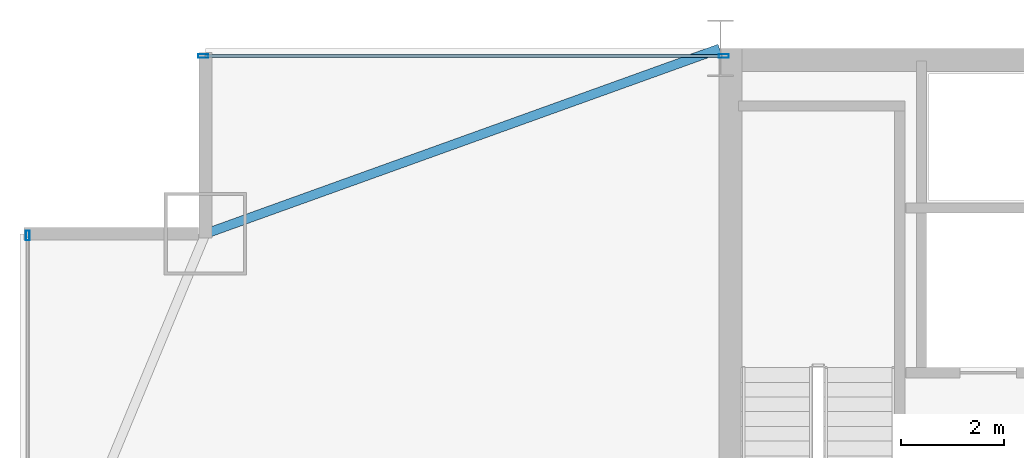
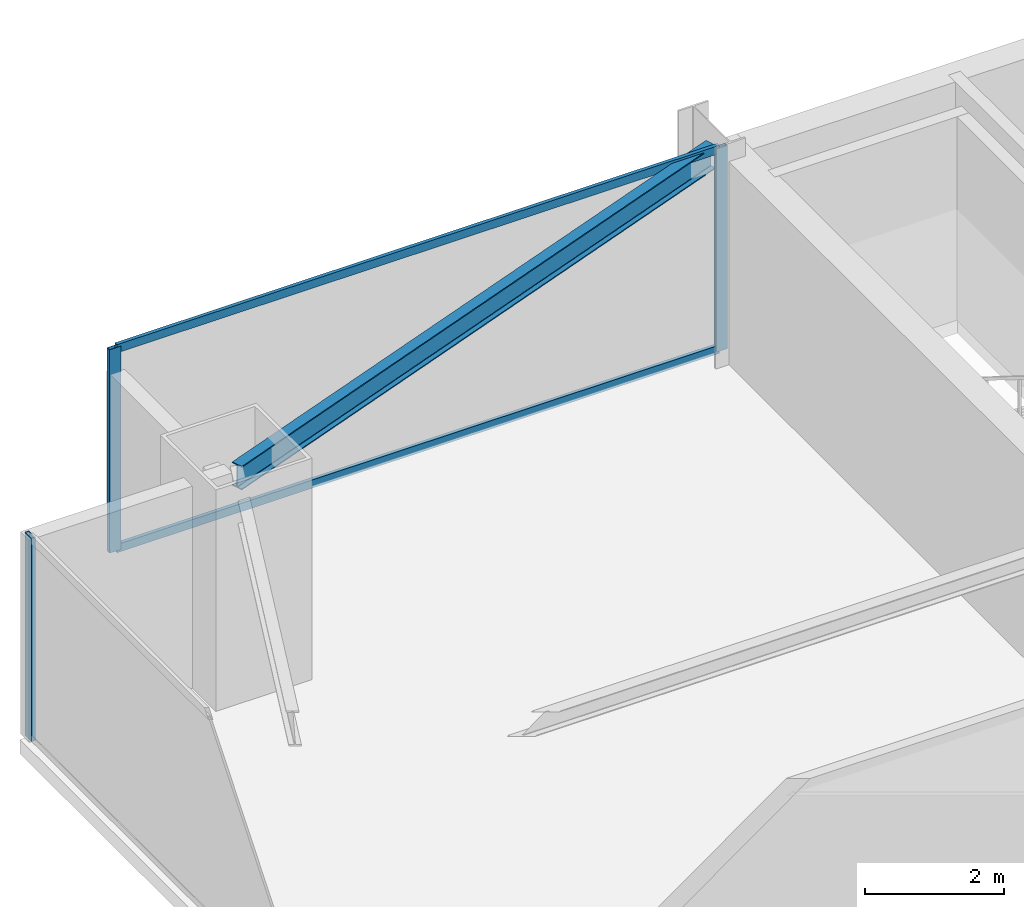
# One storey, part 22 of 32: 5 members, 1 beam, 2 elements without a shape of their own.
"""IFC4 building model written with IfcOpenShell, lengths in metres."""

from ifc_helpers import new_model, si_unit, direction, frame, origin, origin_2d, place, context, subcontext, project, spatial, hollow_rectangle, i_section, extrude, source, transform, mapped, material, layer, layer_set, material_profile, profile_set, type_object, type_shapes, element, aggregate, save


model = new_model("IFC4")

# Units and contexts
model_context = context("Model", 3, precision=1e-05, world=origin(), true_north=direction((0.0, 1.0)))
body_context = subcontext(model_context, "Body", "Model", "MODEL_VIEW")
ifc_project = project(units=[si_unit("LENGTHUNIT", "METRE"), si_unit("AREAUNIT", "SQUARE_METRE"), si_unit("VOLUMEUNIT", "CUBIC_METRE"), si_unit("PLANEANGLEUNIT", "RADIAN"), si_unit("MASSUNIT", "GRAM", prefix="KILO")], contexts=[model_context])

# Site, building, storey
site_placement = place(None, origin())
site = spatial("IfcSite", under=ifc_project, at=site_placement, CompositionType="ELEMENT")
building_placement = place(site_placement, origin())
building = spatial("IfcBuilding", under=site, at=building_placement, Name="Varnel Quay Broadcast Tower", CompositionType="ELEMENT")
storey_placement = place(building_placement, frame((0.0, 0.0, 78.300048828125)))
storey = spatial("IfcBuildingStorey", under=building, at=storey_placement, Name="L18", CompositionType="ELEMENT", Elevation=78.300048828125)

# Beam
ifc_material_1 = material(Name="Structural Steel CSA G40.21 350W", Category="steel")
ifc_material_profile_1 = material_profile(ifc_material_1, i_section(OverallWidth=0.180908203125, OverallDepth=0.4169921875, WebThickness=0.010986328125, FlangeThickness=0.018310546875, FilletRadius=0.011962890625, at=origin_2d()), Name="W410X85")
ifc_profile_set_1 = profile_set([ifc_material_profile_1], Name="Structural Steel CSA G40.21 350W")
beam_type = type_object("IfcBeamType", Name="Beam_W410X85", PredefinedType="SPANDREL", material=ifc_profile_set_1)
shared_shape_1 = source(origin(), body_context, "Body", "SweptSolid", [
    extrude(i_section(OverallWidth=0.180908203125, OverallDepth=0.4169921875, WebThickness=0.010986328125, FlangeThickness=0.018310546875, FilletRadius=0.011962890625, at=origin_2d()), origin(), (0.0, 0.0, 1.0), 10.58837890625),
])
type_shapes(beam_type, [shared_shape_1])
beam_placement = place(storey_placement, frame((5.618896484375, 43.206787109375, 3.371337890625), z_axis=(0.940888587605, 0.338716202321, 0.0), x_axis=(-0.338716202321, 0.940888587605, 0.0)))
element("IfcBeam", 1, at=beam_placement, inside=storey, type_object=beam_type, Name="L18 NW Tie Spandrel", PredefinedType="SPANDREL", context=body_context, shape_type="MappedRepresentation", body=[
    mapped(shared_shape_1, transform((0.0, 0.0, 0.0), x_axis=(1.0, 0.0, 0.0), y_axis=(0.0, 1.0, 0.0), z_axis=(0.0, 0.0, 1.0), scale=1.0)),
])

# Curtain wall, members
ifc_material_2 = material(Name="Anodised Bronze Aluminium 6063-T6", Category="aluminium")
ifc_layer = layer(ifc_material_2, 0.18994140625, Name="Anodised Bronze Aluminium 6063-T6")
ifc_layer_set = layer_set([ifc_layer], Name="Anodised Bronze Aluminium 6063-T6")
curtain_wall_type = type_object("IfcCurtainWallType", Name="CW_LowerTower", PredefinedType="NOTDEFINED", material=ifc_layer_set)
curtain_wall_1_placement = place(storey_placement, origin())
curtain_wall_1 = element("IfcCurtainWall", 2, at=curtain_wall_1_placement, inside=storey, type_object=curtain_wall_type, Name="L18 NW Wing Curtain Wall", PredefinedType="NOTDEFINED")
ifc_material_profile_2 = material_profile(ifc_material_2, hollow_rectangle(XDim=0.06005859375, YDim=0.14501953125, WallThickness=0.00341796875, at=origin_2d()), Name="ALU60X145X3.5")
ifc_profile_set_2 = profile_set([ifc_material_profile_2], Name="Anodised Bronze Aluminium 6063-T6")
member_type_1 = type_object("IfcMemberType", Name="Tran_CWS-02", PredefinedType="USERDEFINED", material=ifc_profile_set_2)
shared_shape_2 = source(origin(), body_context, "Body", "SweptSolid", [
    extrude(hollow_rectangle(XDim=0.06005859375, YDim=0.14501953125, WallThickness=0.00341796875, at=origin_2d()), origin(), (0.0, 0.0, 1.0), 10.039794921875),
])
type_shapes(member_type_1, [shared_shape_2])
member_1_placement = place(storey_placement, frame((5.590087890625, 46.64990234375, 0.030029296875), z_axis=(1.0, 0.0, 0.0), x_axis=(0.0, 1.0, 0.0)))
member_1 = element("IfcMember", 3, at=member_1_placement, type_object=member_type_1, Name="CWS-02 transom 1.1", ObjectType="TRANSOM", PredefinedType="USERDEFINED", context=body_context, shape_type="MappedRepresentation", body=[
    mapped(shared_shape_2, transform((0.0, 0.0, 0.0), x_axis=(1.0, 0.0, 0.0), y_axis=(0.0, 1.0, 0.0), z_axis=(0.0, 0.0, 1.0), scale=1.0)),
])
member_2_placement = place(storey_placement, frame((5.590087890625, 46.64990234375, 3.550048828125), z_axis=(1.0, 0.0, 0.0), x_axis=(0.0, 1.0, 0.0)))
member_2 = element("IfcMember", 4, at=member_2_placement, type_object=member_type_1, Name="CWS-02 transom 1.2", ObjectType="TRANSOM", PredefinedType="USERDEFINED", context=body_context, shape_type="MappedRepresentation", body=[
    mapped(shared_shape_2, transform((0.0, 0.0, 0.0), x_axis=(1.0, 0.0, 0.0), y_axis=(0.0, 1.0, 0.0), z_axis=(0.0, 0.0, 1.0), scale=1.0)),
])

# Curtain wall, member
curtain_wall_2_placement = place(storey_placement, origin())
curtain_wall_2 = element("IfcCurtainWall", 5, at=curtain_wall_2_placement, inside=storey, type_object=curtain_wall_type, Name="L18 West Unitised Curtain Wall", PredefinedType="NOTDEFINED")
ifc_material_profile_3 = material_profile(ifc_material_2, hollow_rectangle(XDim=0.070068359375, YDim=0.18994140625, WallThickness=0.00390625, at=origin_2d()), Name="ALU70X190X4")
ifc_profile_set_3 = profile_set([ifc_material_profile_3], Name="Anodised Bronze Aluminium 6063-T6")
member_type_2 = type_object("IfcMemberType", Name="Mull_CWS-02", PredefinedType="MULLION", material=ifc_profile_set_3)
shared_shape_3 = source(origin(), body_context, "Body", "SweptSolid", [
    extrude(hollow_rectangle(XDim=0.070068359375, YDim=0.18994140625, WallThickness=0.00390625, at=origin_2d()), origin(), (0.0, 0.0, 1.0), 3.579833984375),
])
type_shapes(member_type_2, [shared_shape_3])
member_3_placement = place(storey_placement, frame((2.14990234375, 43.1650390625, 0.0), z_axis=(0.0, 0.0, 1.0), x_axis=(-1.0, 0.0, 0.0)))
member_3 = element("IfcMember", 6, at=member_3_placement, type_object=member_type_2, Name="CWS-02 mullion 4", PredefinedType="MULLION", context=body_context, shape_type="MappedRepresentation", body=[
    mapped(shared_shape_3, transform((0.0, 0.0, 0.0), x_axis=(1.0, 0.0, 0.0), y_axis=(0.0, 1.0, 0.0), z_axis=(0.0, 0.0, 1.0), scale=1.0)),
])
aggregate(curtain_wall_2, [member_3])

# Member
member_4_placement = place(storey_placement, frame((5.554931640625, 46.64990234375, 0.0), z_axis=(0.0, 0.0, 1.0), x_axis=(0.0, 1.0, 0.0)))
member_4 = element("IfcMember", 7, at=member_4_placement, type_object=member_type_2, Name="CWS-02 mullion 1", PredefinedType="MULLION", context=body_context, shape_type="MappedRepresentation", body=[
    mapped(shared_shape_3, transform((0.0, 0.0, 0.0), x_axis=(1.0, 0.0, 0.0), y_axis=(0.0, 1.0, 0.0), z_axis=(0.0, 0.0, 1.0), scale=1.0)),
])

member_5_placement = place(storey_placement, frame((15.6650390625, 46.64990234375, 0.0), z_axis=(0.0, 0.0, 1.0), x_axis=(0.0, 1.0, 0.0)))
member_5 = element("IfcMember", 8, at=member_5_placement, type_object=member_type_2, Name="CWS-02 mullion 2", PredefinedType="MULLION", context=body_context, shape_type="MappedRepresentation", body=[
    mapped(shared_shape_3, transform((0.0, 0.0, 0.0), x_axis=(1.0, 0.0, 0.0), y_axis=(0.0, 1.0, 0.0), z_axis=(0.0, 0.0, 1.0), scale=1.0)),
])

aggregate(curtain_wall_1, [member_4, member_5, member_1, member_2])

save(model, "model.ifc")
